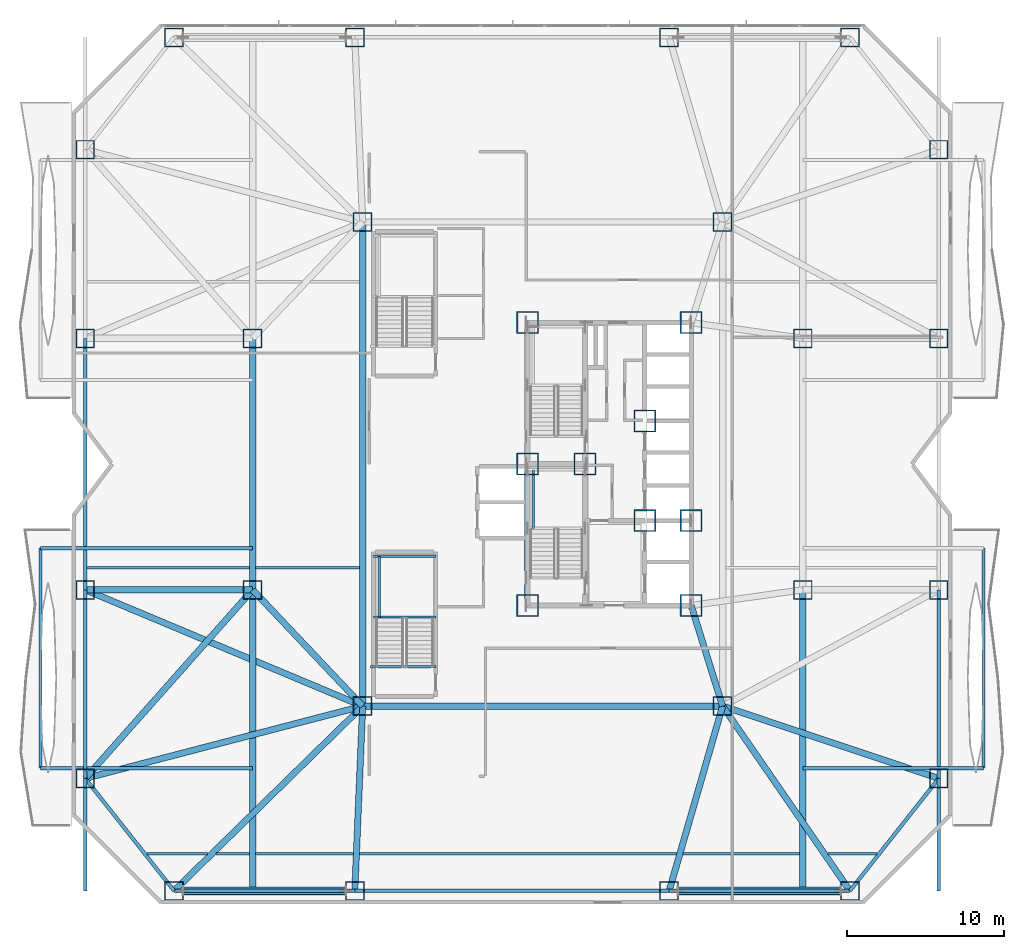
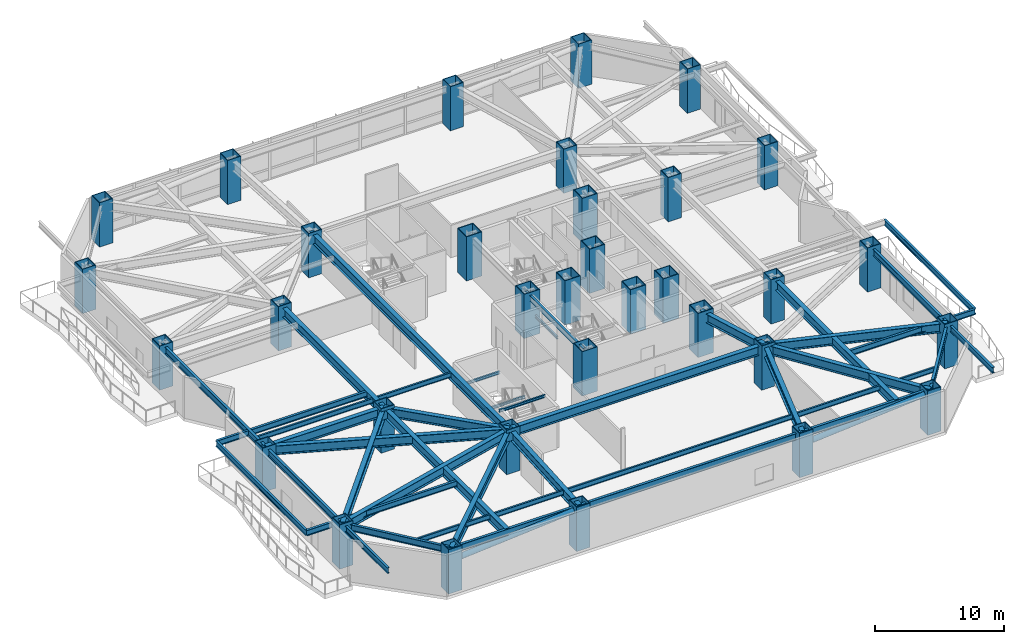
# One storey, part 1 of 24: 45 beams, 33 columns, 2 members.
"""IFC4 building model written with IfcOpenShell, lengths in metres."""

from ifc_helpers import new_model, si_unit, direction, frame, origin, origin_2d, place, context, subcontext, project, spatial, hollow_rectangle, hollow_circle, i_section, extrude, material, material_profile, profile_set, type_object, element, save


model = new_model("IFC4")

# Units and contexts
model_context = context("Model", 3, precision=1e-05, world=origin(), true_north=direction((0.0, 1.0)))
body_context = subcontext(model_context, "Body", "Model", "MODEL_VIEW")
ifc_project = project(units=[si_unit("LENGTHUNIT", "METRE"), si_unit("AREAUNIT", "SQUARE_METRE"), si_unit("VOLUMEUNIT", "CUBIC_METRE"), si_unit("PLANEANGLEUNIT", "RADIAN"), si_unit("MASSUNIT", "GRAM", prefix="KILO")], contexts=[model_context])

# Site, building, storey
site_placement = place(None, origin())
site = spatial("IfcSite", under=ifc_project, at=site_placement, CompositionType="ELEMENT")
building_placement = place(site_placement, origin())
building = spatial("IfcBuilding", under=site, at=building_placement, Name="Khamvora Tower", CompositionType="ELEMENT")
storey_placement = place(building_placement, frame((0.0, 0.0, 20.39990234375)))
storey = spatial("IfcBuildingStorey", under=building, at=storey_placement, Name="L04", CompositionType="ELEMENT", Elevation=20.39990234375)

# Columns
ifc_material_1 = material(Name="Steel S460", Category="steel")
ifc_material_profile_1 = material_profile(ifc_material_1, hollow_rectangle(XDim=1.199951171875, YDim=1.199951171875, WallThickness=0.06005859375, at=origin_2d()), Name="BOX1200x1200x60")
ifc_profile_set_1 = profile_set([ifc_material_profile_1], Name="Steel S460")
column_type_1 = type_object("IfcColumnType", Name="COL-BOX1200", PredefinedType="COLUMN", material=ifc_profile_set_1)
for number, where, z_axis, x_axis, name in (
    (1, (6.5, 0.85009765625, 0.0), (0.0, 0.0, 1.0), (1.0, 0.0, 0.0), "L04 structural frame column P01"),
    (2, (18.0, 0.85009765625, 0.0), (0.0, 0.0, 1.0), (1.0, 0.0, 0.0), "L04 structural frame column P02"),
    (3, (38.0, 0.85009765625, 0.0), (0.0, 0.0, 1.0), (1.0, 0.0, 0.0), "L04 structural frame column P03"),
    (4, (49.5, 0.85009765625, 0.0), (0.0, 0.0, 1.0), (1.0, 0.0, 0.0), "L04 structural frame column P04"),
    (5, (6.5, 55.14990234375, 0.0), (0.0, 0.0, 1.0), (1.0, 0.0, 0.0), "L04 structural frame column P05"),
    (6, (18.0, 55.14990234375, 0.0), (0.0, 0.0, 1.0), (1.0, 0.0, 0.0), "L04 structural frame column P06"),
    (7, (38.0, 55.14990234375, 0.0), (0.0, 0.0, 1.0), (1.0, 0.0, 0.0), "L04 structural frame column P07"),
    (8, (49.5, 55.14990234375, 0.0), (0.0, 0.0, 1.0), (1.0, 0.0, 0.0), "L04 structural frame column P08"),
    (9, (0.85009765625, 8.0, 0.0), (0.0, 0.0, 1.0), (1.0, 0.0, 0.0), "L04 structural frame column P09"),
    (10, (0.85009765625, 20.0, 0.0), (0.0, 0.0, 1.0), (1.0, 0.0, 0.0), "L04 structural frame column P10"),
    (11, (0.85009765625, 36.0, 0.0), (0.0, 0.0, 1.0), (1.0, 0.0, 0.0), "L04 structural frame column P11"),
    (12, (0.85009765625, 48.0, 0.0), (0.0, 0.0, 1.0), (1.0, 0.0, 0.0), "L04 structural frame column P12"),
    (13, (55.14990234375, 8.0, 0.0), (0.0, 0.0, 1.0), (1.0, 0.0, 0.0), "L04 structural frame column P13"),
    (14, (55.14990234375, 20.0, 0.0), (0.0, 0.0, 1.0), (1.0, 0.0, 0.0), "L04 structural frame column P14"),
    (15, (55.14990234375, 36.0, 0.0), (0.0, 0.0, 1.0), (1.0, 0.0, 0.0), "L04 structural frame column P15"),
    (16, (55.14990234375, 48.0, 0.0), (0.0, 0.0, 1.0), (1.0, 0.0, 0.0), "L04 structural frame column P16"),
    (17, (18.5, 12.60009765625, 0.0), (0.0, 0.0, 1.0), (1.0, 0.0, 0.0), "L04 structural frame column P17"),
    (18, (41.39990234375, 12.60009765625, 0.0), (0.0, 0.0, 1.0), (1.0, 0.0, 0.0), "L04 structural frame column P18"),
    (19, (18.5, 43.39990234375, 0.0), (0.0, 0.0, 1.0), (1.0, 0.0, 0.0), "L04 structural frame column P19"),
    (20, (41.39990234375, 43.39990234375, 0.0), (0.0, 0.0, 1.0), (1.0, 0.0, 0.0), "L04 structural frame column P20"),
    (21, (11.5, 20.0, 0.0), (0.0, 0.0, 1.0), (1.0, 0.0, 0.0), "L04 structural frame column P21"),
    (22, (11.5, 36.0, 0.0), (0.0, 0.0, 1.0), (1.0, 0.0, 0.0), "L04 structural frame column P22"),
    (23, (46.5, 20.0, 0.0), (0.0, 0.0, 1.0), (1.0, 0.0, 0.0), "L04 structural frame column P23"),
    (24, (46.5, 36.0, 0.0), (0.0, 0.0, 1.0), (1.0, 0.0, 0.0), "L04 structural frame column P24"),
):
    element("IfcColumn", number, at=place(storey_placement, frame(where, z_axis=z_axis, x_axis=x_axis)), inside=storey, type_object=column_type_1, Name=name, PredefinedType="COLUMN", context=body_context, shape_type="SweptSolid", body=[
        extrude(hollow_rectangle(XDim=1.199951171875, YDim=1.199951171875, WallThickness=0.06005859375, at=origin_2d()), origin(), (0.0, 0.0, 1.0), 4.2001953125),
    ])
ifc_material_profile_2 = material_profile(ifc_material_1, hollow_rectangle(XDim=1.39990234375, YDim=1.39990234375, WallThickness=0.070068359375, at=origin_2d()), Name="BOX1400x1400x70")
ifc_profile_set_2 = profile_set([ifc_material_profile_2], Name="Steel S460")
column_type_2 = type_object("IfcColumnType", Name="COL-BOX1400", PredefinedType="COLUMN", material=ifc_profile_set_2)
for number, where, z_axis, x_axis, name in (
    (25, (29.0, 19.0, 0.0), (0.0, 0.0, 1.0), (1.0, 0.0, 0.0), "L04 plumb core spine column SC1"),
    (26, (32.64990234375, 28.0, 0.0), (0.0, 0.0, 1.0), (1.0, 0.0, 0.0), "L04 plumb core spine column SC2"),
    (27, (39.39990234375, 19.0, 0.0), (0.0, 0.0, 1.0), (1.0, 0.0, 0.0), "L04 plumb core spine column SC3"),
    (28, (29.0, 28.0, 0.0), (0.0, 0.0, 1.0), (1.0, 0.0, 0.0), "L04 plumb core spine column SC4"),
    (29, (36.449951171875, 24.39990234375, 0.0), (0.0, 0.0, 1.0), (1.0, 0.0, 0.0), "L04 plumb core spine column SC5"),
    (30, (39.39990234375, 24.39990234375, 0.0), (0.0, 0.0, 1.0), (1.0, 0.0, 0.0), "L04 plumb core spine column SC6"),
    (31, (29.0, 37.0, 0.0), (0.0, 0.0, 1.0), (1.0, 0.0, 0.0), "L04 plumb core spine column SC7"),
    (32, (36.449951171875, 30.75, 0.0), (0.0, 0.0, 1.0), (1.0, 0.0, 0.0), "L04 plumb core spine column SC8"),
    (33, (39.39990234375, 37.0, 0.0), (0.0, 0.0, 1.0), (1.0, 0.0, 0.0), "L04 plumb core spine column SC9"),
):
    element("IfcColumn", number, at=place(storey_placement, frame(where, z_axis=z_axis, x_axis=x_axis)), inside=storey, type_object=column_type_2, Name=name, PredefinedType="COLUMN", context=body_context, shape_type="SweptSolid", body=[
        extrude(hollow_rectangle(XDim=1.39990234375, YDim=1.39990234375, WallThickness=0.070068359375, at=origin_2d()), origin(), (0.0, 0.0, 1.0), 4.2001953125),
    ])

# Beams
ifc_material_2 = material(Name="Steel S355", Category="steel")
ifc_material_profile_3 = material_profile(ifc_material_2, i_section(OverallWidth=0.154052734375, OverallDepth=0.458984375, WebThickness=0.009033203125, FlangeThickness=0.014892578125, FilletRadius=0.011962890625, at=origin_2d()), Name="W460x68")
ifc_profile_set_3 = profile_set([ifc_material_profile_3], Name="Steel S355")
beam_type_1 = type_object("IfcBeamType", Name="BM-JS-W460x68", PredefinedType="JOIST", material=ifc_profile_set_3)
beam_1_placement = place(storey_placement, frame((4.784912109375, 3.199951171875, 3.690185546875), z_axis=(1.0, 0.0, 0.0), x_axis=(0.0, 1.0, 0.0)))
element("IfcBeam", 34, at=beam_1_placement, inside=storey, type_object=beam_type_1, Name="L04 secondary floor joist 01", PredefinedType="JOIST", context=body_context, shape_type="SweptSolid", body=[
    extrude(i_section(OverallWidth=0.154052734375, OverallDepth=0.458984375, WebThickness=0.009033203125, FlangeThickness=0.014892578125, FilletRadius=0.011962890625, at=origin_2d()), origin(), (0.0, 0.0, 1.0), 3.833984375),
])
beam_2_placement = place(storey_placement, frame((9.180908203125, 3.199951171875, 3.690185546875), z_axis=(1.0, 0.0, 0.0), x_axis=(0.0, 1.0, 0.0)))
element("IfcBeam", 35, at=beam_2_placement, inside=storey, type_object=beam_type_1, Name="L04 secondary floor joist 02", PredefinedType="JOIST", context=body_context, shape_type="SweptSolid", body=[
    extrude(i_section(OverallWidth=0.154052734375, OverallDepth=0.458984375, WebThickness=0.009033203125, FlangeThickness=0.014892578125, FilletRadius=0.011962890625, at=origin_2d()), origin(), (0.0, 0.0, 1.0), 2.1240234375),
])
beam_3_placement = place(storey_placement, frame((11.695068359375, 3.199951171875, 3.690185546875), z_axis=(1.0, 0.0, 0.0), x_axis=(0.0, 1.0, 0.0)))
element("IfcBeam", 36, at=beam_3_placement, inside=storey, type_object=beam_type_1, Name="L04 secondary floor joist 03", PredefinedType="JOIST", context=body_context, shape_type="SweptSolid", body=[
    extrude(i_section(OverallWidth=0.154052734375, OverallDepth=0.458984375, WebThickness=0.009033203125, FlangeThickness=0.014892578125, FilletRadius=0.011962890625, at=origin_2d()), origin(), (0.0, 0.0, 1.0), 6.2099609375),
])
beam_4_placement = place(storey_placement, frame((18.294921875, 3.199951171875, 3.690185546875), z_axis=(1.0, 0.0, 0.0), x_axis=(0.0, 1.0, 0.0)))
element("IfcBeam", 37, at=beam_4_placement, inside=storey, type_object=beam_type_1, Name="L04 secondary floor joist 04", PredefinedType="JOIST", context=body_context, shape_type="SweptSolid", body=[
    extrude(i_section(OverallWidth=0.154052734375, OverallDepth=0.458984375, WebThickness=0.009033203125, FlangeThickness=0.014892578125, FilletRadius=0.011962890625, at=origin_2d()), origin(), (0.0, 0.0, 1.0), 20.18212890625),
])
beam_5_placement = place(storey_placement, frame((38.883056640625, 3.199951171875, 3.690185546875), z_axis=(1.0, 0.0, 0.0), x_axis=(0.0, 1.0, 0.0)))
element("IfcBeam", 38, at=beam_5_placement, inside=storey, type_object=beam_type_1, Name="L04 secondary floor joist 05", PredefinedType="JOIST", context=body_context, shape_type="SweptSolid", body=[
    extrude(i_section(OverallWidth=0.154052734375, OverallDepth=0.458984375, WebThickness=0.009033203125, FlangeThickness=0.014892578125, FilletRadius=0.011962890625, at=origin_2d()), origin(), (0.0, 0.0, 1.0), 7.421875),
])
beam_6_placement = place(storey_placement, frame((48.117919921875, 3.199951171875, 3.690185546875), z_axis=(1.0, 0.0, 0.0), x_axis=(0.0, 1.0, 0.0)))
element("IfcBeam", 39, at=beam_6_placement, inside=storey, type_object=beam_type_1, Name="L04 secondary floor joist 06", PredefinedType="JOIST", context=body_context, shape_type="SweptSolid", body=[
    extrude(i_section(OverallWidth=0.154052734375, OverallDepth=0.458984375, WebThickness=0.009033203125, FlangeThickness=0.014892578125, FilletRadius=0.011962890625, at=origin_2d()), origin(), (0.0, 0.0, 1.0), 3.09716796875),
])
beam_7_placement = place(storey_placement, frame((0.9599609375, 21.39990234375, 3.690185546875), z_axis=(1.0, 0.0, 0.0), x_axis=(0.0, 1.0, 0.0)))
element("IfcBeam", 40, at=beam_7_placement, inside=storey, type_object=beam_type_1, Name="L04 secondary floor joist 07", PredefinedType="JOIST", context=body_context, shape_type="SweptSolid", body=[
    extrude(i_section(OverallWidth=0.154052734375, OverallDepth=0.458984375, WebThickness=0.009033203125, FlangeThickness=0.014892578125, FilletRadius=0.011962890625, at=origin_2d()), origin(), (0.0, 0.0, 1.0), 10.344970703125),
])
beam_8_placement = place(storey_placement, frame((11.695068359375, 21.39990234375, 3.690185546875), z_axis=(1.0, 0.0, 0.0), x_axis=(0.0, 1.0, 0.0)))
element("IfcBeam", 41, at=beam_8_placement, inside=storey, type_object=beam_type_1, Name="L04 secondary floor joist 08", PredefinedType="JOIST", context=body_context, shape_type="SweptSolid", body=[
    extrude(i_section(OverallWidth=0.154052734375, OverallDepth=0.458984375, WebThickness=0.009033203125, FlangeThickness=0.014892578125, FilletRadius=0.011962890625, at=origin_2d()), origin(), (0.0, 0.0, 1.0), 6.60986328125),
])
ifc_material_profile_4 = material_profile(ifc_material_2, i_section(OverallWidth=0.14697265625, OverallDepth=0.261962890625, WebThickness=0.007080078125, FlangeThickness=0.010986328125, FilletRadius=0.008056640625, at=origin_2d()), Name="W250x39")
ifc_profile_set_4 = profile_set([ifc_material_profile_4], Name="Steel S355")
beam_type_2 = type_object("IfcBeamType", Name="BM-LN-W250x39", PredefinedType="LINTEL", material=ifc_profile_set_4)
beam_9_placement = place(storey_placement, frame((29.35009765625, 23.9150390625, 1.76904296875), z_axis=(0.0, 1.0, 0.0), x_axis=(-1.0, 0.0, 0.0)))
element("IfcBeam", 42, at=beam_9_placement, inside=storey, type_object=beam_type_2, Name="L04 ST-01 half-landing edge stringer 1", PredefinedType="LINTEL", context=body_context, shape_type="SweptSolid", body=[
    extrude(i_section(OverallWidth=0.14697265625, OverallDepth=0.261962890625, WebThickness=0.007080078125, FlangeThickness=0.010986328125, FilletRadius=0.008056640625, at=origin_2d()), origin(), (0.0, 0.0, 1.0), 3.71484375),
])
for number, where, z_axis, x_axis, name in (
    (43, (19.199951171875, 18.264892578125, 1.76904296875), (1.0, 0.0, 0.0), (0.0, 1.0, 0.0), "L04 ST-03 half-landing support beam 1.1"),
    (44, (19.199951171875, 22.1298828125, 1.76904296875), (1.0, 0.0, 0.0), (0.0, 1.0, 0.0), "L04 ST-03 half-landing support beam 1.2"),
):
    element("IfcBeam", number, at=place(storey_placement, frame(where, z_axis=z_axis, x_axis=x_axis)), inside=storey, type_object=beam_type_2, Name=name, PredefinedType="LINTEL", context=body_context, shape_type="SweptSolid", body=[
        extrude(i_section(OverallWidth=0.14697265625, OverallDepth=0.261962890625, WebThickness=0.007080078125, FlangeThickness=0.010986328125, FilletRadius=0.008056640625, at=origin_2d()), origin(), (0.0, 0.0, 1.0), 3.949951171875),
    ])
beam_10_placement = place(storey_placement, frame((19.550048828125, 18.264892578125, 1.76904296875), z_axis=(0.0, 1.0, 0.0), x_axis=(-1.0, 0.0, 0.0)))
element("IfcBeam", 45, at=beam_10_placement, inside=storey, type_object=beam_type_2, Name="L04 ST-03 half-landing edge stringer 1", PredefinedType="LINTEL", context=body_context, shape_type="SweptSolid", body=[
    extrude(i_section(OverallWidth=0.14697265625, OverallDepth=0.261962890625, WebThickness=0.007080078125, FlangeThickness=0.010986328125, FilletRadius=0.008056640625, at=origin_2d()), origin(), (0.0, 0.0, 1.0), 3.864990234375),
])
beam_11_placement = place(storey_placement, frame((19.0, 15.10009765625, 3.794189453125), z_axis=(1.0, 0.0, 0.0), x_axis=(0.0, 1.0, 0.0)))
element("IfcBeam", 46, at=beam_11_placement, inside=storey, type_object=beam_type_2, Name="L04 podium stair ST03 landing trimmer beam", PredefinedType="LINTEL", context=body_context, shape_type="SweptSolid", body=[
    extrude(i_section(OverallWidth=0.14697265625, OverallDepth=0.261962890625, WebThickness=0.007080078125, FlangeThickness=0.010986328125, FilletRadius=0.008056640625, at=origin_2d()), origin(), (0.0, 0.0, 1.0), 4.14990234375),
])
ifc_material_profile_5 = material_profile(ifc_material_2, i_section(OverallWidth=0.39990234375, OverallDepth=0.85498046875, WebThickness=0.01806640625, FlangeThickness=0.029052734375, FilletRadius=0.01806640625, at=origin_2d()), Name="W840x299")
ifc_profile_set_5 = profile_set([ifc_material_profile_5], Name="Steel S355")
beam_type_3 = type_object("IfcBeamType", Name="BM-PG-W840x299", PredefinedType="BEAM", material=ifc_profile_set_5)
beam_12_placement = place(storey_placement, frame((18.5, 12.60009765625, 3.4931640625), z_axis=(0.0, 1.0, 0.0), x_axis=(-1.0, 0.0, 0.0)))
element("IfcBeam", 47, at=beam_12_placement, inside=storey, type_object=beam_type_3, Name="L04 longitudinal frame girder P17-P19", PredefinedType="BEAM", context=body_context, shape_type="SweptSolid", body=[
    extrude(i_section(OverallWidth=0.39990234375, OverallDepth=0.85498046875, WebThickness=0.01806640625, FlangeThickness=0.029052734375, FilletRadius=0.01806640625, at=origin_2d()), origin(), (0.0, 0.0, 1.0), 30.7998046875),
])
beam_13_placement = place(storey_placement, frame((18.5, 12.60009765625, 3.4931640625), z_axis=(1.0, 0.0, 0.0), x_axis=(0.0, 1.0, 0.0)))
element("IfcBeam", 48, at=beam_13_placement, inside=storey, type_object=beam_type_3, Name="L04 longitudinal frame girder P17-P18", PredefinedType="BEAM", context=body_context, shape_type="SweptSolid", body=[
    extrude(i_section(OverallWidth=0.39990234375, OverallDepth=0.85498046875, WebThickness=0.01806640625, FlangeThickness=0.029052734375, FilletRadius=0.01806640625, at=origin_2d()), origin(), (0.0, 0.0, 1.0), 22.89990234375),
])
beam_14_placement = place(storey_placement, frame((11.5, 20.0, 3.4931640625), z_axis=(0.0, 1.0, 0.0), x_axis=(-1.0, 0.0, 0.0)))
element("IfcBeam", 49, at=beam_14_placement, inside=storey, type_object=beam_type_3, Name="L04 longitudinal frame girder P21-P22", PredefinedType="BEAM", context=body_context, shape_type="SweptSolid", body=[
    extrude(i_section(OverallWidth=0.39990234375, OverallDepth=0.85498046875, WebThickness=0.01806640625, FlangeThickness=0.029052734375, FilletRadius=0.01806640625, at=origin_2d()), origin(), (0.0, 0.0, 1.0), 16.0),
])
beam_15_placement = place(storey_placement, frame((18.5, 12.60009765625, 3.4931640625), z_axis=(-0.714510426493, -0.699624792608, 0.0), x_axis=(0.699624792608, -0.714510426493, 0.0)))
element("IfcBeam", 50, at=beam_15_placement, inside=storey, type_object=beam_type_3, Name="L04 primary floor girder P01", PredefinedType="BEAM", context=body_context, shape_type="SweptSolid", body=[
    extrude(i_section(OverallWidth=0.39990234375, OverallDepth=0.85498046875, WebThickness=0.01806640625, FlangeThickness=0.029052734375, FilletRadius=0.01806640625, at=origin_2d()), origin(), (0.0, 0.0, 1.0), 16.794677734375),
])
beam_16_placement = place(storey_placement, frame((18.5, 12.60009765625, 3.4931640625), z_axis=(-0.042514716625, -0.999095840683, 0.0), x_axis=(0.999095840683, -0.042514716625, 0.0)))
element("IfcBeam", 51, at=beam_16_placement, inside=storey, type_object=beam_type_3, Name="L04 primary floor girder P02", PredefinedType="BEAM", context=body_context, shape_type="SweptSolid", body=[
    extrude(i_section(OverallWidth=0.39990234375, OverallDepth=0.85498046875, WebThickness=0.01806640625, FlangeThickness=0.029052734375, FilletRadius=0.01806640625, at=origin_2d()), origin(), (0.0, 0.0, 1.0), 11.7607421875),
])
beam_17_placement = place(storey_placement, frame((41.39990234375, 12.60009765625, 3.4931640625), z_axis=(-0.277951455854, -0.960595121885, 0.0), x_axis=(0.960595121885, -0.277951455854, 0.0)))
element("IfcBeam", 52, at=beam_17_placement, inside=storey, type_object=beam_type_3, Name="L04 primary floor girder P03", PredefinedType="BEAM", context=body_context, shape_type="SweptSolid", body=[
    extrude(i_section(OverallWidth=0.39990234375, OverallDepth=0.85498046875, WebThickness=0.01806640625, FlangeThickness=0.029052734375, FilletRadius=0.01806640625, at=origin_2d()), origin(), (0.0, 0.0, 1.0), 12.23193359375),
])
beam_18_placement = place(storey_placement, frame((41.39990234375, 12.60009765625, 3.4931640625), z_axis=(0.567573841069, -0.823322497527, 0.0), x_axis=(0.823322497527, 0.567573841069, 0.0)))
element("IfcBeam", 53, at=beam_18_placement, inside=storey, type_object=beam_type_3, Name="L04 primary floor girder P04", PredefinedType="BEAM", context=body_context, shape_type="SweptSolid", body=[
    extrude(i_section(OverallWidth=0.39990234375, OverallDepth=0.85498046875, WebThickness=0.01806640625, FlangeThickness=0.029052734375, FilletRadius=0.01806640625, at=origin_2d()), origin(), (0.0, 0.0, 1.0), 14.271484375),
])
beam_19_placement = place(storey_placement, frame((11.5, 20.0, 3.4931640625), z_axis=(-0.6637799472, -0.747927925468, 0.0), x_axis=(0.747927925468, -0.6637799472, 0.0)))
element("IfcBeam", 54, at=beam_19_placement, inside=storey, type_object=beam_type_3, Name="L04 primary floor girder P09", PredefinedType="BEAM", context=body_context, shape_type="SweptSolid", body=[
    extrude(i_section(OverallWidth=0.39990234375, OverallDepth=0.85498046875, WebThickness=0.01806640625, FlangeThickness=0.029052734375, FilletRadius=0.01806640625, at=origin_2d()), origin(), (0.0, 0.0, 1.0), 16.04443359375),
])
beam_20_placement = place(storey_placement, frame((11.5, 20.0, 3.4931640625), z_axis=(-1.0, 0.0, 0.0), x_axis=(0.0, -1.0, 0.0)))
element("IfcBeam", 55, at=beam_20_placement, inside=storey, type_object=beam_type_3, Name="L04 primary floor girder P10", PredefinedType="BEAM", context=body_context, shape_type="SweptSolid", body=[
    extrude(i_section(OverallWidth=0.39990234375, OverallDepth=0.85498046875, WebThickness=0.01806640625, FlangeThickness=0.029052734375, FilletRadius=0.01806640625, at=origin_2d()), origin(), (0.0, 0.0, 1.0), 10.64990234375),
])
beam_21_placement = place(storey_placement, frame((41.39990234375, 12.60009765625, 3.4931640625), z_axis=(0.948335857324, -0.31726818579, 0.0), x_axis=(0.31726818579, 0.948335857324, 0.0)))
element("IfcBeam", 56, at=beam_21_placement, inside=storey, type_object=beam_type_3, Name="L04 primary floor girder P13", PredefinedType="BEAM", context=body_context, shape_type="SweptSolid", body=[
    extrude(i_section(OverallWidth=0.39990234375, OverallDepth=0.85498046875, WebThickness=0.01806640625, FlangeThickness=0.029052734375, FilletRadius=0.01806640625, at=origin_2d()), origin(), (0.0, 0.0, 1.0), 14.4990234375),
])
beam_22_placement = place(storey_placement, frame((39.39990234375, 19.0, 3.4931640625), z_axis=(0.298279139585, -0.95447868226, 0.0), x_axis=(0.95447868226, 0.298279139585, 0.0)))
element("IfcBeam", 57, at=beam_22_placement, inside=storey, type_object=beam_type_3, Name="L04 primary floor girder P18", PredefinedType="BEAM", context=body_context, shape_type="SweptSolid", body=[
    extrude(i_section(OverallWidth=0.39990234375, OverallDepth=0.85498046875, WebThickness=0.01806640625, FlangeThickness=0.029052734375, FilletRadius=0.01806640625, at=origin_2d()), origin(), (0.0, 0.0, 1.0), 6.705078125),
])
beam_23_placement = place(storey_placement, frame((18.5, 12.60009765625, 3.4931640625), z_axis=(-0.687204640029, 0.726463889483, 0.0), x_axis=(-0.726463889483, -0.687204640029, 0.0)))
element("IfcBeam", 58, at=beam_23_placement, inside=storey, type_object=beam_type_3, Name="L04 primary floor girder P21", PredefinedType="BEAM", context=body_context, shape_type="SweptSolid", body=[
    extrude(i_section(OverallWidth=0.39990234375, OverallDepth=0.85498046875, WebThickness=0.01806640625, FlangeThickness=0.029052734375, FilletRadius=0.01806640625, at=origin_2d()), origin(), (0.0, 0.0, 1.0), 10.186279296875),
])
beam_24_placement = place(storey_placement, frame((46.5, 0.85009765625, 3.4931640625), z_axis=(0.0, 1.0, 0.0), x_axis=(-1.0, 0.0, 0.0)))
element("IfcBeam", 59, at=beam_24_placement, inside=storey, type_object=beam_type_3, Name="L04 gallery collector girder E.1", PredefinedType="BEAM", context=body_context, shape_type="SweptSolid", body=[
    extrude(i_section(OverallWidth=0.39990234375, OverallDepth=0.85498046875, WebThickness=0.01806640625, FlangeThickness=0.029052734375, FilletRadius=0.01806640625, at=origin_2d()), origin(), (0.0, 0.0, 1.0), 19.14990234375),
])
beam_25_placement = place(storey_placement, frame((0.85009765625, 8.0, 3.4931640625), z_axis=(0.967673821538, 0.252205025942, 0.0), x_axis=(-0.252205025942, 0.967673821538, 0.0)))
element("IfcBeam", 60, at=beam_25_placement, inside=storey, type_object=beam_type_3, Name="L04 west plinth tie girder 1", PredefinedType="BEAM", context=body_context, shape_type="SweptSolid", body=[
    extrude(i_section(OverallWidth=0.39990234375, OverallDepth=0.85498046875, WebThickness=0.01806640625, FlangeThickness=0.029052734375, FilletRadius=0.01806640625, at=origin_2d()), origin(), (0.0, 0.0, 1.0), 18.239501953125),
])
beam_26_placement = place(storey_placement, frame((0.85009765625, 20.0, 3.4931640625), z_axis=(0.922225491396, -0.386652483529, 0.0), x_axis=(0.386652483529, 0.922225491396, 0.0)))
element("IfcBeam", 61, at=beam_26_placement, inside=storey, type_object=beam_type_3, Name="L04 west plinth tie girder 2", PredefinedType="BEAM", context=body_context, shape_type="SweptSolid", body=[
    extrude(i_section(OverallWidth=0.39990234375, OverallDepth=0.85498046875, WebThickness=0.01806640625, FlangeThickness=0.029052734375, FilletRadius=0.01806640625, at=origin_2d()), origin(), (0.0, 0.0, 1.0), 19.138427734375),
])
beam_27_placement = place(storey_placement, frame((11.5, 0.85009765625, 3.4931640625), z_axis=(0.0, 1.0, 0.0), x_axis=(-1.0, 0.0, 0.0)))
element("IfcBeam", 62, at=beam_27_placement, inside=storey, type_object=beam_type_3, Name="L04 gallery collector girder W.1", PredefinedType="BEAM", context=body_context, shape_type="SweptSolid", body=[
    extrude(i_section(OverallWidth=0.39990234375, OverallDepth=0.85498046875, WebThickness=0.01806640625, FlangeThickness=0.029052734375, FilletRadius=0.01806640625, at=origin_2d()), origin(), (0.0, 0.0, 1.0), 19.14990234375),
])
ifc_material_profile_6 = material_profile(ifc_material_2, i_section(OverallWidth=0.2119140625, OverallDepth=0.5439453125, WebThickness=0.012939453125, FlangeThickness=0.02099609375, FilletRadius=0.013916015625, at=origin_2d()), Name="W530x123")
ifc_profile_set_6 = profile_set([ifc_material_profile_6], Name="Steel S355")
beam_type_4 = type_object("IfcBeamType", Name="BM-SP-W530x123", PredefinedType="SPANDREL", material=ifc_profile_set_6)
for number, where, z_axis, x_axis, name in (
    (63, (55.14990234375, 0.85009765625, 3.648193359375), (0.0, 1.0, 0.0), (-1.0, 0.0, 0.0), "L04 E perimeter edge spandrel 1"),
    (64, (0.85009765625, 0.85009765625, 3.648193359375), (0.0, 1.0, 0.0), (-1.0, 0.0, 0.0), "L04 W perimeter edge spandrel 1"),
):
    element("IfcBeam", number, at=place(storey_placement, frame(where, z_axis=z_axis, x_axis=x_axis)), inside=storey, type_object=beam_type_4, Name=name, PredefinedType="SPANDREL", context=body_context, shape_type="SweptSolid", body=[
        extrude(i_section(OverallWidth=0.2119140625, OverallDepth=0.5439453125, WebThickness=0.012939453125, FlangeThickness=0.02099609375, FilletRadius=0.013916015625, at=origin_2d()), origin(), (0.0, 0.0, 1.0), 7.14990234375),
    ])
ifc_material_profile_7 = material_profile(ifc_material_2, i_section(OverallWidth=0.208984375, OverallDepth=0.532958984375, WebThickness=0.010009765625, FlangeThickness=0.01611328125, FilletRadius=0.013916015625, at=origin_2d()), Name="W530x92")
ifc_profile_set_7 = profile_set([ifc_material_profile_7], Name="Steel S355")
beam_type_5 = type_object("IfcBeamType", Name="BM-SP-W530x92", PredefinedType="SPANDREL", material=ifc_profile_set_7)
beam_28_placement = place(storey_placement, frame((28.89990234375, 19.0, 3.653076171875), z_axis=(0.0, 1.0, 0.0), x_axis=(-1.0, 0.0, 0.0)))
element("IfcBeam", 65, at=beam_28_placement, inside=storey, type_object=beam_type_5, Name="L04 core spine girder WS", PredefinedType="SPANDREL", context=body_context, shape_type="SweptSolid", body=[
    extrude(i_section(OverallWidth=0.208984375, OverallDepth=0.532958984375, WebThickness=0.010009765625, FlangeThickness=0.01611328125, FilletRadius=0.013916015625, at=origin_2d()), origin(), (0.0, 0.0, 1.0), 9.0),
])
beam_29_placement = place(storey_placement, frame((46.5, 8.64990234375, 3.51318359375), z_axis=(1.0, 0.0, 0.0), x_axis=(0.0, 1.0, 0.0)))
element("IfcBeam", 66, at=beam_29_placement, inside=storey, type_object=beam_type_5, Name="L04 continuous gallery cantilever girder L05-EL1-1", PredefinedType="SPANDREL", context=body_context, shape_type="SweptSolid", body=[
    extrude(i_section(OverallWidth=0.208984375, OverallDepth=0.532958984375, WebThickness=0.010009765625, FlangeThickness=0.01611328125, FilletRadius=0.013916015625, at=origin_2d()), origin(), (0.0, 0.0, 1.0), 11.5),
])
beam_30_placement = place(storey_placement, frame((58.0, 8.64990234375, 3.51318359375), z_axis=(0.0, 1.0, 0.0), x_axis=(-1.0, 0.0, 0.0)))
element("IfcBeam", 67, at=beam_30_placement, inside=storey, type_object=beam_type_5, Name="L04 external gallery edge header beam L05-EL1", PredefinedType="SPANDREL", context=body_context, shape_type="SweptSolid", body=[
    extrude(i_section(OverallWidth=0.208984375, OverallDepth=0.532958984375, WebThickness=0.010009765625, FlangeThickness=0.01611328125, FilletRadius=0.013916015625, at=origin_2d()), origin(), (0.0, 0.0, 1.0), 14.0),
])
for number, where, z_axis, x_axis, name in (
    (68, (11.5, 8.64990234375, 3.51318359375), (-1.0, 0.0, 0.0), (0.0, -1.0, 0.0), "L04 continuous gallery cantilever girder L05-WL1-1"),
    (69, (11.5, 22.64990234375, 3.51318359375), (-1.0, 0.0, 0.0), (0.0, -1.0, 0.0), "L04 continuous gallery cantilever girder L05-WL1-2"),
):
    element("IfcBeam", number, at=place(storey_placement, frame(where, z_axis=z_axis, x_axis=x_axis)), inside=storey, type_object=beam_type_5, Name=name, PredefinedType="SPANDREL", context=body_context, shape_type="SweptSolid", body=[
        extrude(i_section(OverallWidth=0.208984375, OverallDepth=0.532958984375, WebThickness=0.010009765625, FlangeThickness=0.01611328125, FilletRadius=0.013916015625, at=origin_2d()), origin(), (0.0, 0.0, 1.0), 13.5),
    ])
beam_31_placement = place(storey_placement, frame((-2.0, 8.64990234375, 3.51318359375), z_axis=(0.0, 1.0, 0.0), x_axis=(-1.0, 0.0, 0.0)))
element("IfcBeam", 70, at=beam_31_placement, inside=storey, type_object=beam_type_5, Name="L04 external gallery edge header beam L05-WL1", PredefinedType="SPANDREL", context=body_context, shape_type="SweptSolid", body=[
    extrude(i_section(OverallWidth=0.208984375, OverallDepth=0.532958984375, WebThickness=0.010009765625, FlangeThickness=0.01611328125, FilletRadius=0.013916015625, at=origin_2d()), origin(), (0.0, 0.0, 1.0), 14.0),
])
ifc_material_profile_8 = material_profile(ifc_material_2, i_section(OverallWidth=0.22998046875, OverallDepth=0.616943359375, WebThickness=0.012939453125, FlangeThickness=0.02197265625, FilletRadius=0.013916015625, at=origin_2d()), Name="W610x140")
ifc_profile_set_8 = profile_set([ifc_material_profile_8], Name="Steel S355")
beam_type_6 = type_object("IfcBeamType", Name="BM-SP-W610x140", PredefinedType="SPANDREL", material=ifc_profile_set_8)
beam_32_placement = place(storey_placement, frame((0.85009765625, 20.0, 3.612060546875), z_axis=(0.0, -1.0, 0.0), x_axis=(1.0, 0.0, 0.0)))
element("IfcBeam", 71, at=beam_32_placement, inside=storey, type_object=beam_type_6, Name="L04 perimeter spandrel beam P10-P09", PredefinedType="SPANDREL", context=body_context, shape_type="SweptSolid", body=[
    extrude(i_section(OverallWidth=0.22998046875, OverallDepth=0.616943359375, WebThickness=0.012939453125, FlangeThickness=0.02197265625, FilletRadius=0.013916015625, at=origin_2d()), origin(), (0.0, 0.0, 1.0), 12.0),
])
beam_33_placement = place(storey_placement, frame((0.85009765625, 8.0, 3.612060546875), z_axis=(0.619998635429, -0.784602888133, 0.0), x_axis=(0.784602888133, 0.619998635429, 0.0)))
element("IfcBeam", 72, at=beam_33_placement, inside=storey, type_object=beam_type_6, Name="L04 perimeter spandrel beam P09-P01", PredefinedType="SPANDREL", context=body_context, shape_type="SweptSolid", body=[
    extrude(i_section(OverallWidth=0.22998046875, OverallDepth=0.616943359375, WebThickness=0.012939453125, FlangeThickness=0.02197265625, FilletRadius=0.013916015625, at=origin_2d()), origin(), (0.0, 0.0, 1.0), 9.11279296875),
])
beam_34_placement = place(storey_placement, frame((6.5, 0.85009765625, 3.612060546875), z_axis=(1.0, 0.0, 0.0), x_axis=(0.0, 1.0, 0.0)))
element("IfcBeam", 73, at=beam_34_placement, inside=storey, type_object=beam_type_6, Name="L04 perimeter spandrel beam P01-P02", PredefinedType="SPANDREL", context=body_context, shape_type="SweptSolid", body=[
    extrude(i_section(OverallWidth=0.22998046875, OverallDepth=0.616943359375, WebThickness=0.012939453125, FlangeThickness=0.02197265625, FilletRadius=0.013916015625, at=origin_2d()), origin(), (0.0, 0.0, 1.0), 11.5),
])
beam_35_placement = place(storey_placement, frame((18.0, 0.85009765625, 3.612060546875), z_axis=(1.0, 0.0, 0.0), x_axis=(0.0, 1.0, 0.0)))
element("IfcBeam", 74, at=beam_35_placement, inside=storey, type_object=beam_type_6, Name="L04 perimeter spandrel beam P02-P03", PredefinedType="SPANDREL", context=body_context, shape_type="SweptSolid", body=[
    extrude(i_section(OverallWidth=0.22998046875, OverallDepth=0.616943359375, WebThickness=0.012939453125, FlangeThickness=0.02197265625, FilletRadius=0.013916015625, at=origin_2d()), origin(), (0.0, 0.0, 1.0), 20.0),
])
beam_36_placement = place(storey_placement, frame((38.0, 0.85009765625, 3.612060546875), z_axis=(1.0, 0.0, 0.0), x_axis=(0.0, 1.0, 0.0)))
element("IfcBeam", 75, at=beam_36_placement, inside=storey, type_object=beam_type_6, Name="L04 perimeter spandrel beam P03-P04", PredefinedType="SPANDREL", context=body_context, shape_type="SweptSolid", body=[
    extrude(i_section(OverallWidth=0.22998046875, OverallDepth=0.616943359375, WebThickness=0.012939453125, FlangeThickness=0.02197265625, FilletRadius=0.013916015625, at=origin_2d()), origin(), (0.0, 0.0, 1.0), 11.5),
])
beam_37_placement = place(storey_placement, frame((49.5, 0.85009765625, 3.612060546875), z_axis=(0.619998635429, 0.784602888133, 0.0), x_axis=(-0.784602888133, 0.619998635429, 0.0)))
element("IfcBeam", 76, at=beam_37_placement, inside=storey, type_object=beam_type_6, Name="L04 perimeter spandrel beam P04-P13", PredefinedType="SPANDREL", context=body_context, shape_type="SweptSolid", body=[
    extrude(i_section(OverallWidth=0.22998046875, OverallDepth=0.616943359375, WebThickness=0.012939453125, FlangeThickness=0.02197265625, FilletRadius=0.013916015625, at=origin_2d()), origin(), (0.0, 0.0, 1.0), 9.11279296875),
])
beam_38_placement = place(storey_placement, frame((55.14990234375, 8.0, 3.612060546875), z_axis=(0.0, 1.0, 0.0), x_axis=(-1.0, 0.0, 0.0)))
element("IfcBeam", 77, at=beam_38_placement, inside=storey, type_object=beam_type_6, Name="L04 perimeter spandrel beam P13-P14", PredefinedType="SPANDREL", context=body_context, shape_type="SweptSolid", body=[
    extrude(i_section(OverallWidth=0.22998046875, OverallDepth=0.616943359375, WebThickness=0.012939453125, FlangeThickness=0.02197265625, FilletRadius=0.013916015625, at=origin_2d()), origin(), (0.0, 0.0, 1.0), 12.0),
])
beam_39_placement = place(storey_placement, frame((0.85009765625, 36.0, 3.612060546875), z_axis=(0.0, -1.0, 0.0), x_axis=(1.0, 0.0, 0.0)))
element("IfcBeam", 78, at=beam_39_placement, inside=storey, type_object=beam_type_6, Name="L04 perimeter spandrel beam P11-P10", PredefinedType="SPANDREL", context=body_context, shape_type="SweptSolid", body=[
    extrude(i_section(OverallWidth=0.22998046875, OverallDepth=0.616943359375, WebThickness=0.012939453125, FlangeThickness=0.02197265625, FilletRadius=0.013916015625, at=origin_2d()), origin(), (0.0, 0.0, 1.0), 16.0),
])

# Members
ifc_material_profile_9 = material_profile(ifc_material_1, hollow_circle(Radius=0.25390625, WallThickness=0.02490234375, at=origin_2d()), Name="CHS508x25")
ifc_profile_set_9 = profile_set([ifc_material_profile_9], Name="Steel S460")
member_type = type_object("IfcMemberType", Name="MEM-BR-CHS508", PredefinedType="BRACE", material=ifc_profile_set_9)
for number, where, z_axis, x_axis, name in (
    (79, (7.077880859375, 0.85009765625, 2.72705078125), (0.996733604617, 0.0, 0.080759652222), (0.0, 1.0, 0.0), "L04 perimeter wind brace 1"),
    (80, (38.577880859375, 0.85009765625, 2.72705078125), (0.996733604617, 0.0, 0.080759652222), (0.0, 1.0, 0.0), "L04 perimeter wind brace 2"),
):
    element("IfcMember", number, at=place(storey_placement, frame(where, z_axis=z_axis, x_axis=x_axis)), inside=storey, type_object=member_type, Name=name, PredefinedType="BRACE", context=body_context, shape_type="SweptSolid", body=[
        extrude(hollow_circle(Radius=0.25390625, WallThickness=0.02490234375, at=origin_2d()), origin(), (0.0, 0.0, 1.0), 10.378173828125),
    ])

save(model, "model.ifc")
